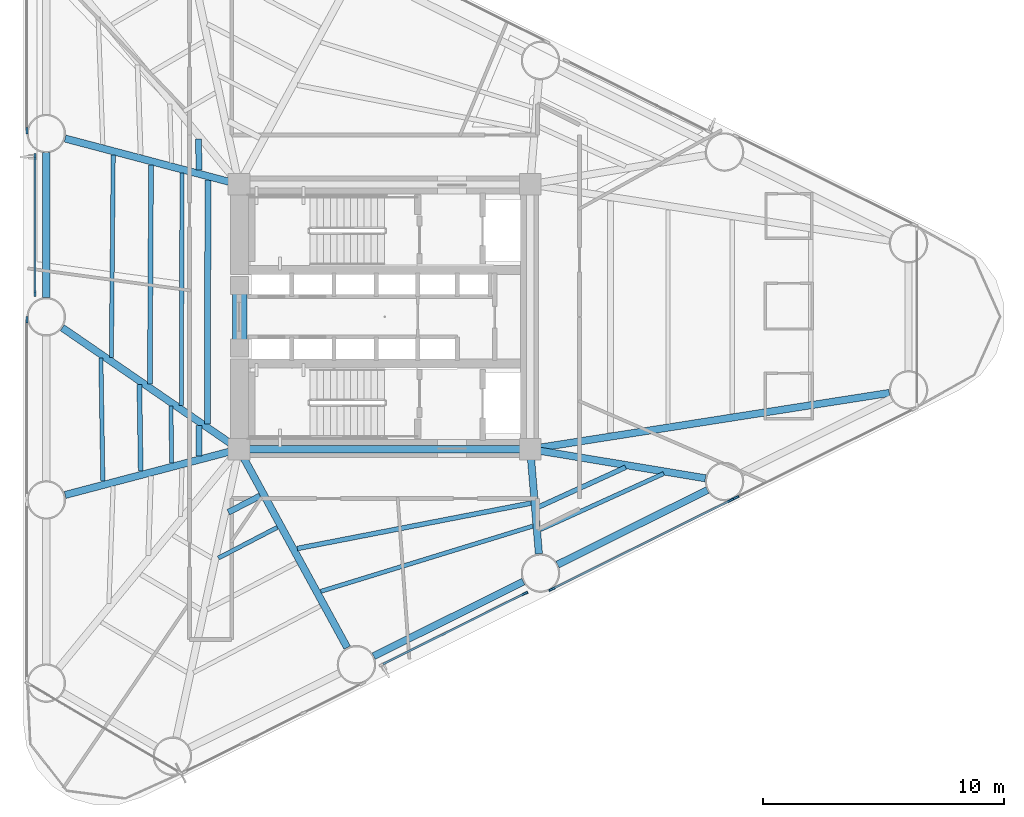
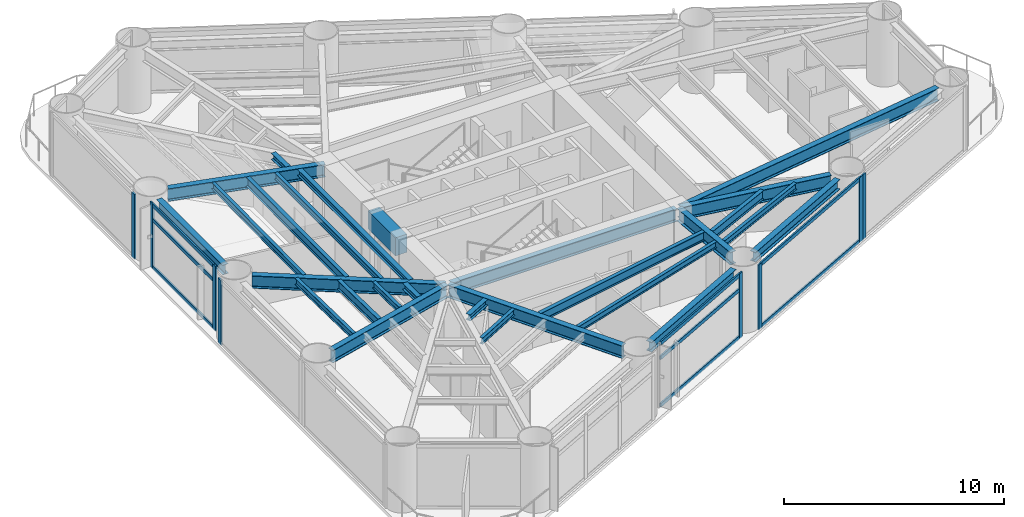
# One storey, part 2 of 10: 27 beams, 16 members, 6 elements without a shape of their own.
"""IFC4 building model written with IfcOpenShell, lengths in metres."""

from ifc_helpers import new_model, si_unit, direction, frame, origin, origin_2d, place, context, subcontext, project, spatial, rectangle, i_section, extrude, source, transform, mapped, material, layer, layer_set, material_profile, profile_set, type_object, element, aggregate, save


model = new_model("IFC4")

# Units and contexts
model_context = context("Model", 3, precision=1e-05, world=origin(), true_north=direction((0.0, 1.0)))
body_context = subcontext(model_context, "Body", "Model", "MODEL_VIEW")
ifc_project = project(units=[si_unit("LENGTHUNIT", "METRE"), si_unit("AREAUNIT", "SQUARE_METRE"), si_unit("VOLUMEUNIT", "CUBIC_METRE"), si_unit("PLANEANGLEUNIT", "RADIAN"), si_unit("MASSUNIT", "GRAM", prefix="KILO")], contexts=[model_context])

# Site, building, storey
site_placement = place(None, origin())
site = spatial("IfcSite", under=ifc_project, at=site_placement, CompositionType="ELEMENT")
building_placement = place(site_placement, origin())
building = spatial("IfcBuilding", under=site, at=building_placement, Name="Yunling Apex Tower", CompositionType="ELEMENT")
storey_placement = place(building_placement, frame((0.0, 0.0, 31.199951171875)))
storey = spatial("IfcBuildingStorey", under=building, at=storey_placement, Name="L09", CompositionType="ELEMENT", Elevation=31.199951171875)

# Beams
ifc_material_1 = material(Name="Concrete C60", Category="concrete")
ifc_material_profile_1 = material_profile(ifc_material_1, rectangle(XDim=0.60009765625, YDim=1.0, at=origin_2d()))
ifc_profile_set_1 = profile_set([ifc_material_profile_1], Name="Concrete C60")
beam_type_1 = type_object("IfcBeamType", Name="BC-CPL-1", PredefinedType="BEAM", material=ifc_profile_set_1)
shared_shape_1 = source(origin(), body_context, "Body", "SweptSolid", [
    extrude(rectangle(XDim=0.60009765625, YDim=1.0, at=origin_2d()), origin(), (0.0, 0.0, 1.0), 2.5),
])
beam_1_placement = place(storey_placement, frame((-6.02490234375, -1.25, 3.01513671875), z_axis=(0.0, 1.0, 0.0), x_axis=(-1.0, 0.0, 0.0)))
element("IfcBeam", 1, at=beam_1_placement, inside=storey, type_object=beam_type_1, Name="L09 Core West Portal Coupling Beam", PredefinedType="BEAM", context=body_context, shape_type="MappedRepresentation", body=[
    mapped(shared_shape_1, transform((0.0, 0.0, 0.0), scale=1.0)),
])
ifc_material_2 = material(Name="Steel Q355B", Category="steel")
ifc_material_profile_2 = material_profile(ifc_material_2, i_section(OverallWidth=0.300048828125, OverallDepth=0.699951171875, WebThickness=0.012939453125, FlangeThickness=0.02392578125, FilletRadius=0.02587890625, at=origin_2d()))
ifc_profile_set_2 = profile_set([ifc_material_profile_2], Name="Steel Q355B")
beam_type_2 = type_object("IfcBeamType", Name="BG-PRI-3", PredefinedType="USERDEFINED", material=ifc_profile_set_2)
shared_shape_2 = source(origin(), body_context, "Body", "SweptSolid", [
    extrude(i_section(OverallWidth=0.300048828125, OverallDepth=0.699951171875, WebThickness=0.012939453125, FlangeThickness=0.02392578125, FilletRadius=0.02587890625, at=origin_2d()), origin(), (0.0, 0.0, 1.0), 11.7998046875),
])
beam_2_placement = place(storey_placement, frame((-5.89990234375, -5.5, 3.1650390625), z_axis=(1.0, 0.0, 0.0), x_axis=(0.0, 1.0, 0.0)))
element("IfcBeam", 2, at=beam_2_placement, inside=storey, type_object=beam_type_2, Name="L09 Core Ring Tie Beam 1", ObjectType="GIRDER", PredefinedType="USERDEFINED", context=body_context, shape_type="MappedRepresentation", body=[
    mapped(shared_shape_2, transform((0.0, 0.0, 0.0), scale=1.0)),
])
ifc_material_profile_3 = material_profile(ifc_material_2, i_section(OverallWidth=0.300048828125, OverallDepth=0.5400390625, WebThickness=0.011962890625, FlangeThickness=0.02001953125, FilletRadius=0.02392578125, at=origin_2d()))
ifc_profile_set_3 = profile_set([ifc_material_profile_3], Name="Steel Q355B")
beam_type_3 = type_object("IfcBeamType", Name="BP-SPN-1", PredefinedType="SPANDREL", material=ifc_profile_set_3)
shared_shape_3 = source(origin(), body_context, "Body", "SweptSolid", [
    extrude(i_section(OverallWidth=0.300048828125, OverallDepth=0.5400390625, WebThickness=0.011962890625, FlangeThickness=0.02001953125, FilletRadius=0.02392578125, at=origin_2d()), origin(), (0.0, 0.0, 1.0), 6.950927734375),
])
beam_3_placement = place(storey_placement, frame((-0.456298828125, -14.099365234375, 3.2451171875), z_axis=(0.895247556401, 0.445569088646, 0.0), x_axis=(-0.445569088646, 0.895247556401, 0.0)))
element("IfcBeam", 3, at=beam_3_placement, inside=storey, type_object=beam_type_3, Name="L09 Perimeter Spandrel Beam 2", PredefinedType="SPANDREL", context=body_context, shape_type="MappedRepresentation", body=[
    mapped(shared_shape_3, transform((0.0, 0.0, 0.0), scale=1.0)),
])
shared_shape_4 = source(origin(), body_context, "Body", "SweptSolid", [
    extrude(i_section(OverallWidth=0.300048828125, OverallDepth=0.5400390625, WebThickness=0.011962890625, FlangeThickness=0.02001953125, FilletRadius=0.02392578125, at=origin_2d()), origin(), (0.0, 0.0, 1.0), 6.95068359375),
])
beam_4_placement = place(storey_placement, frame((7.188232421875, -10.29443359375, 3.2451171875), z_axis=(0.895254593944, 0.445554948375, 0.0), x_axis=(-0.445554948375, 0.895254593944, 0.0)))
element("IfcBeam", 4, at=beam_4_placement, inside=storey, type_object=beam_type_3, Name="L09 Perimeter Spandrel Beam 3", PredefinedType="SPANDREL", context=body_context, shape_type="MappedRepresentation", body=[
    mapped(shared_shape_4, transform((0.0, 0.0, 0.0), scale=1.0)),
])
shared_shape_5 = source(origin(), body_context, "Body", "SweptSolid", [
    extrude(i_section(OverallWidth=0.300048828125, OverallDepth=0.5400390625, WebThickness=0.011962890625, FlangeThickness=0.02001953125, FilletRadius=0.02392578125, at=origin_2d()), origin(), (0.0, 0.0, 1.0), 6.021484375),
])
beam_5_placement = place(storey_placement, frame((-14.052001953125, 6.8154296875, 3.2451171875), z_axis=(0.0, -1.0, 0.0), x_axis=(1.0, 0.0, 0.0)))
element("IfcBeam", 5, at=beam_5_placement, inside=storey, type_object=beam_type_3, Name="L09 Perimeter Spandrel Beam 12", PredefinedType="SPANDREL", context=body_context, shape_type="MappedRepresentation", body=[
    mapped(shared_shape_5, transform((0.0, 0.0, 0.0), scale=1.0)),
])
shared_shape_6 = source(origin(), body_context, "Body", "SweptSolid", [
    extrude(i_section(OverallWidth=0.300048828125, OverallDepth=0.699951171875, WebThickness=0.012939453125, FlangeThickness=0.02392578125, FilletRadius=0.02587890625, at=origin_2d()), origin(), (0.0, 0.0, 1.0), 9.31005859375),
])
beam_6_placement = place(storey_placement, frame((-1.553955078125, -13.74365234375, 3.1650390625), z_axis=(-0.478817221141, 0.877914613581, 0.0), x_axis=(-0.877914613581, -0.478817221141, 0.0)))
element("IfcBeam", 6, at=beam_6_placement, inside=storey, type_object=beam_type_2, Name="L09 Radial Primary Girder R02", ObjectType="GIRDER", PredefinedType="USERDEFINED", context=body_context, shape_type="MappedRepresentation", body=[
    mapped(shared_shape_6, transform((0.0, 0.0, 0.0), scale=1.0)),
])
shared_shape_7 = source(origin(), body_context, "Body", "SweptSolid", [
    extrude(i_section(OverallWidth=0.300048828125, OverallDepth=0.699951171875, WebThickness=0.012939453125, FlangeThickness=0.02392578125, FilletRadius=0.02587890625, at=origin_2d()), origin(), (0.0, 0.0, 1.0), 4.278076171875),
])
beam_7_placement = place(storey_placement, frame((6.41064453125, -9.843017578125, 3.1650390625), z_axis=(-0.082747937789, 0.996570508691, 0.0), x_axis=(-0.996570508691, -0.082747937789, 0.0)))
element("IfcBeam", 7, at=beam_7_placement, inside=storey, type_object=beam_type_2, Name="L09 Radial Primary Girder R03", ObjectType="GIRDER", PredefinedType="USERDEFINED", context=body_context, shape_type="MappedRepresentation", body=[
    mapped(shared_shape_7, transform((0.0, 0.0, 0.0), scale=1.0)),
])
shared_shape_8 = source(origin(), body_context, "Body", "SweptSolid", [
    extrude(i_section(OverallWidth=0.300048828125, OverallDepth=0.699951171875, WebThickness=0.012939453125, FlangeThickness=0.02392578125, FilletRadius=0.02587890625, at=origin_2d()), origin(), (0.0, 0.0, 1.0), 7.294921875),
])
beam_8_placement = place(storey_placement, frame((13.32470703125, -6.7109375, 3.1650390625), z_axis=(-0.98642827455, 0.164192750049, 0.0), x_axis=(-0.164192750049, -0.98642827455, 0.0)))
element("IfcBeam", 8, at=beam_8_placement, inside=storey, type_object=beam_type_2, Name="L09 Radial Primary Girder R04", ObjectType="GIRDER", PredefinedType="USERDEFINED", context=body_context, shape_type="MappedRepresentation", body=[
    mapped(shared_shape_8, transform((0.0, 0.0, 0.0), scale=1.0)),
])
shared_shape_9 = source(origin(), body_context, "Body", "SweptSolid", [
    extrude(i_section(OverallWidth=0.300048828125, OverallDepth=0.699951171875, WebThickness=0.012939453125, FlangeThickness=0.02392578125, FilletRadius=0.02587890625, at=origin_2d()), origin(), (0.0, 0.0, 1.0), 15.02001953125),
])
beam_9_placement = place(storey_placement, frame((20.968017578125, -3.163818359375, 3.1650390625), z_axis=(-0.987959991473, -0.154709583568, 0.0), x_axis=(0.154709583568, -0.987959991473, 0.0)))
element("IfcBeam", 9, at=beam_9_placement, inside=storey, type_object=beam_type_2, Name="L09 Radial Primary Girder R05", ObjectType="GIRDER", PredefinedType="USERDEFINED", context=body_context, shape_type="MappedRepresentation", body=[
    mapped(shared_shape_9, transform((0.0, 0.0, 0.0), scale=1.0)),
])
shared_shape_10 = source(origin(), body_context, "Body", "SweptSolid", [
    extrude(i_section(OverallWidth=0.300048828125, OverallDepth=0.699951171875, WebThickness=0.012939453125, FlangeThickness=0.02392578125, FilletRadius=0.02587890625, at=origin_2d()), origin(), (0.0, 0.0, 1.0), 7.387451171875),
])
for number, where, z_axis, x_axis, name in (
    (10, (-13.270751953125, 7.403564453125, 3.1650390625), (0.966966571797, -0.25490321502, 0.0), (0.25490321502, 0.966966571797, 0.0), "L09 Radial Primary Girder R12"),
    (11, (-13.270751953125, -7.403564453125, 3.1650390625), (0.966966571797, 0.25490321502, 0.0), (-0.25490321502, 0.966966571797, 0.0), "L09 Radial Primary Girder R14"),
):
    element("IfcBeam", number, at=place(storey_placement, frame(where, z_axis=z_axis, x_axis=x_axis)), inside=storey, type_object=beam_type_2, Name=name, ObjectType="GIRDER", PredefinedType="USERDEFINED", context=body_context, shape_type="MappedRepresentation", body=[
        mapped(shared_shape_10, transform((0.0, 0.0, 0.0), scale=1.0)),
    ])
shared_shape_11 = source(origin(), body_context, "Body", "SweptSolid", [
    extrude(i_section(OverallWidth=0.300048828125, OverallDepth=0.699951171875, WebThickness=0.012939453125, FlangeThickness=0.02392578125, FilletRadius=0.02587890625, at=origin_2d()), origin(), (0.0, 0.0, 1.0), 8.821533203125),
])
beam_10_placement = place(storey_placement, frame((-13.385986328125, -0.457763671875, 3.1650390625), z_axis=(0.824111362877, -0.566427807912, 0.0), x_axis=(0.566427807912, 0.824111362877, 0.0)))
element("IfcBeam", 12, at=beam_10_placement, inside=storey, type_object=beam_type_2, Name="L09 Radial Primary Girder R13", ObjectType="GIRDER", PredefinedType="USERDEFINED", context=body_context, shape_type="MappedRepresentation", body=[
    mapped(shared_shape_11, transform((0.0, 0.0, 0.0), scale=1.0)),
])
ifc_material_profile_4 = material_profile(ifc_material_2, i_section(OverallWidth=0.175048828125, OverallDepth=0.35009765625, WebThickness=0.007080078125, FlangeThickness=0.010986328125, FilletRadius=0.013916015625, at=origin_2d()))
ifc_profile_set_4 = profile_set([ifc_material_profile_4], Name="Steel Q355B")
beam_type_4 = type_object("IfcBeamType", Name="BJ-JST-1", PredefinedType="JOIST", material=ifc_profile_set_4)
shared_shape_12 = source(origin(), body_context, "Body", "SweptSolid", [
    extrude(i_section(OverallWidth=0.175048828125, OverallDepth=0.35009765625, WebThickness=0.007080078125, FlangeThickness=0.010986328125, FilletRadius=0.013916015625, at=origin_2d()), origin(), (0.0, 0.0, 1.0), 2.7548828125),
])
beam_11_placement = place(storey_placement, frame((-6.903076171875, -10.0224609375, 3.340087890625), z_axis=(0.886932237595, 0.461899562584, 0.0), x_axis=(-0.461899562584, 0.886932237595, 0.0)))
element("IfcBeam", 13, at=beam_11_placement, inside=storey, type_object=beam_type_4, Name="L09 Composite Floor Joist BJ3-1", PredefinedType="JOIST", context=body_context, shape_type="MappedRepresentation", body=[
    mapped(shared_shape_12, transform((0.0, 0.0, 0.0), scale=1.0)),
])
ifc_material_profile_5 = material_profile(ifc_material_2, i_section(OverallWidth=0.25, OverallDepth=0.340087890625, WebThickness=0.009033203125, FlangeThickness=0.013916015625, FilletRadius=0.01806640625, at=origin_2d()))
ifc_profile_set_5 = profile_set([ifc_material_profile_5], Name="Steel Q355B")
beam_type_5 = type_object("IfcBeamType", Name="BJ-JST-2", PredefinedType="JOIST", material=ifc_profile_set_5)
shared_shape_13 = source(origin(), body_context, "Body", "SweptSolid", [
    extrude(i_section(OverallWidth=0.25, OverallDepth=0.340087890625, WebThickness=0.009033203125, FlangeThickness=0.013916015625, FilletRadius=0.01806640625, at=origin_2d()), origin(), (0.0, 0.0, 1.0), 1.482421875),
])
beam_12_placement = place(storey_placement, frame((-6.490966796875, -8.12060546875, 3.344970703125), z_axis=(0.888960334438, 0.457984196012, 0.0), x_axis=(-0.457984196012, 0.888960334438, 0.0)))
element("IfcBeam", 14, at=beam_12_placement, inside=storey, type_object=beam_type_5, Name="L09 Composite Floor Joist BJ2-1", PredefinedType="JOIST", context=body_context, shape_type="MappedRepresentation", body=[
    mapped(shared_shape_13, transform((0.0, 0.0, 0.0), scale=1.0)),
])
ifc_material_profile_6 = material_profile(ifc_material_2, i_section(OverallWidth=0.199951171875, OverallDepth=0.5, WebThickness=0.010009765625, FlangeThickness=0.01611328125, FilletRadius=0.02001953125, at=origin_2d()))
ifc_profile_set_6 = profile_set([ifc_material_profile_6], Name="Steel Q355B")
beam_type_6 = type_object("IfcBeamType", Name="BS-SEC-2", PredefinedType="BEAM", material=ifc_profile_set_6)
shared_shape_14 = source(origin(), body_context, "Body", "SweptSolid", [
    extrude(i_section(OverallWidth=0.199951171875, OverallDepth=0.5, WebThickness=0.010009765625, FlangeThickness=0.01611328125, FilletRadius=0.02001953125, at=origin_2d()), origin(), (0.0, 0.0, 1.0), 9.883544921875),
])
beam_13_placement = place(storey_placement, frame((-3.625732421875, -9.62646484375, 3.26513671875), z_axis=(0.981653423938, 0.190673950161, 0.0), x_axis=(-0.190673950161, 0.981653423938, 0.0)))
element("IfcBeam", 15, at=beam_13_placement, inside=storey, type_object=beam_type_6, Name="L09 Composite Floor Beam BS-2", PredefinedType="BEAM", context=body_context, shape_type="MappedRepresentation", body=[
    mapped(shared_shape_14, transform((0.0, 0.0, 0.0), scale=1.0)),
])
shared_shape_15 = source(origin(), body_context, "Body", "SweptSolid", [
    extrude(i_section(OverallWidth=0.175048828125, OverallDepth=0.35009765625, WebThickness=0.007080078125, FlangeThickness=0.010986328125, FilletRadius=0.013916015625, at=origin_2d()), origin(), (0.0, 0.0, 1.0), 9.2158203125),
])
beam_14_placement = place(storey_placement, frame((-2.649169921875, -11.407958984375, 3.340087890625), z_axis=(0.955731454849, 0.294240354492, 0.0), x_axis=(-0.294240354492, 0.955731454849, 0.0)))
element("IfcBeam", 16, at=beam_14_placement, inside=storey, type_object=beam_type_4, Name="L09 Composite Floor Joist BJ1-2", PredefinedType="JOIST", context=body_context, shape_type="MappedRepresentation", body=[
    mapped(shared_shape_15, transform((0.0, 0.0, 0.0), scale=1.0)),
])
shared_shape_16 = source(origin(), body_context, "Body", "SweptSolid", [
    extrude(i_section(OverallWidth=0.199951171875, OverallDepth=0.5, WebThickness=0.010009765625, FlangeThickness=0.01611328125, FilletRadius=0.02001953125, at=origin_2d()), origin(), (0.0, 0.0, 1.0), 3.971923828125),
])
beam_15_placement = place(storey_placement, frame((6.400390625, -7.900634765625, 3.26513671875), z_axis=(0.909609234888, 0.415464847858, 0.0), x_axis=(-0.415464847858, 0.909609234888, 0.0)))
element("IfcBeam", 17, at=beam_15_placement, inside=storey, type_object=beam_type_6, Name="L09 Composite Floor Beam BS-3", PredefinedType="BEAM", context=body_context, shape_type="MappedRepresentation", body=[
    mapped(shared_shape_16, transform((0.0, 0.0, 0.0), scale=1.0)),
])
shared_shape_17 = source(origin(), body_context, "Body", "SweptSolid", [
    extrude(i_section(OverallWidth=0.175048828125, OverallDepth=0.35009765625, WebThickness=0.007080078125, FlangeThickness=0.010986328125, FilletRadius=0.013916015625, at=origin_2d()), origin(), (0.0, 0.0, 1.0), 5.62109375),
])
beam_16_placement = place(storey_placement, frame((6.478515625, -8.839111328125, 3.340087890625), z_axis=(0.910411095702, 0.413704770124, 0.0), x_axis=(-0.413704770124, 0.910411095702, 0.0)))
element("IfcBeam", 18, at=beam_16_placement, inside=storey, type_object=beam_type_4, Name="L09 Composite Floor Joist BJ1-3", PredefinedType="JOIST", context=body_context, shape_type="MappedRepresentation", body=[
    mapped(shared_shape_17, transform((0.0, 0.0, 0.0), scale=1.0)),
])
shared_shape_18 = source(origin(), body_context, "Body", "SweptSolid", [
    extrude(i_section(OverallWidth=0.25, OverallDepth=0.340087890625, WebThickness=0.009033203125, FlangeThickness=0.013916015625, FilletRadius=0.01806640625, at=origin_2d()), origin(), (0.0, 0.0, 1.0), 1.294921875),
])
beam_17_placement = place(storey_placement, frame((-7.7333984375, 7.38916015625, 3.344970703125), z_axis=(0.023753431789, -0.999717847434, 0.0), x_axis=(0.999717847434, 0.023753431789, 0.0)))
element("IfcBeam", 19, at=beam_17_placement, inside=storey, type_object=beam_type_5, Name="L09 Composite Floor Joist BJ2-11", PredefinedType="JOIST", context=body_context, shape_type="MappedRepresentation", body=[
    mapped(shared_shape_18, transform((0.0, 0.0, 0.0), scale=1.0)),
])
shared_shape_19 = source(origin(), body_context, "Body", "SweptSolid", [
    extrude(i_section(OverallWidth=0.199951171875, OverallDepth=0.5, WebThickness=0.010009765625, FlangeThickness=0.01611328125, FilletRadius=0.02001953125, at=origin_2d()), origin(), (0.0, 0.0, 1.0), 9.098388671875),
])
beam_18_placement = place(storey_placement, frame((-9.699951171875, 6.302001953125, 3.26513671875), z_axis=(-0.005500909631, -0.999984869882, 0.0), x_axis=(0.999984869882, -0.005500909631, 0.0)))
element("IfcBeam", 20, at=beam_18_placement, inside=storey, type_object=beam_type_6, Name="L09 Composite Floor Beam BS-12", PredefinedType="BEAM", context=body_context, shape_type="MappedRepresentation", body=[
    mapped(shared_shape_19, transform((0.0, 0.0, 0.0), scale=1.0)),
])
shared_shape_20 = source(origin(), body_context, "Body", "SweptSolid", [
    extrude(i_section(OverallWidth=0.175048828125, OverallDepth=0.35009765625, WebThickness=0.007080078125, FlangeThickness=0.010986328125, FilletRadius=0.013916015625, at=origin_2d()), origin(), (0.0, 0.0, 1.0), 8.41357421875),
])
beam_19_placement = place(storey_placement, frame((-11.27197265625, 6.71630859375, 3.340087890625), z_axis=(-0.009169400639, -0.999957960162, 0.0), x_axis=(0.999957960162, -0.009169400639, 0.0)))
element("IfcBeam", 21, at=beam_19_placement, inside=storey, type_object=beam_type_4, Name="L09 Composite Floor Joist BJ1-12", PredefinedType="JOIST", context=body_context, shape_type="MappedRepresentation", body=[
    mapped(shared_shape_20, transform((0.0, 0.0, 0.0), scale=1.0)),
])
shared_shape_21 = source(origin(), body_context, "Body", "SweptSolid", [
    extrude(i_section(OverallWidth=0.175048828125, OverallDepth=0.35009765625, WebThickness=0.007080078125, FlangeThickness=0.010986328125, FilletRadius=0.013916015625, at=origin_2d()), origin(), (0.0, 0.0, 1.0), 9.65869140625),
])
beam_20_placement = place(storey_placement, frame((-8.413818359375, 5.962890625, 3.340087890625), z_axis=(-0.002906817505, -0.999995775197, 0.0), x_axis=(0.999995775197, -0.002906817505, 0.0)))
element("IfcBeam", 22, at=beam_20_placement, inside=storey, type_object=beam_type_4, Name="L09 Composite Floor Joist BJ3-12", PredefinedType="JOIST", context=body_context, shape_type="MappedRepresentation", body=[
    mapped(shared_shape_21, transform((0.0, 0.0, 0.0), scale=1.0)),
])
shared_shape_22 = source(origin(), body_context, "Body", "SweptSolid", [
    extrude(i_section(OverallWidth=0.25, OverallDepth=0.340087890625, WebThickness=0.009033203125, FlangeThickness=0.013916015625, FilletRadius=0.01806640625, at=origin_2d()), origin(), (0.0, 0.0, 1.0), 10.125732421875),
])
beam_21_placement = place(storey_placement, frame((-7.341796875, 5.680419921875, 3.344970703125), z_axis=(-0.000988546835, -0.999999511387, 0.0), x_axis=(0.999999511387, -0.000988546835, 0.0)))
element("IfcBeam", 23, at=beam_21_placement, inside=storey, type_object=beam_type_5, Name="L09 Composite Floor Joist BJ2-12", PredefinedType="JOIST", context=body_context, shape_type="MappedRepresentation", body=[
    mapped(shared_shape_22, transform((0.0, 0.0, 0.0), scale=1.0)),
])
shared_shape_23 = source(origin(), body_context, "Body", "SweptSolid", [
    extrude(i_section(OverallWidth=0.199951171875, OverallDepth=0.5, WebThickness=0.010009765625, FlangeThickness=0.01611328125, FilletRadius=0.02001953125, at=origin_2d()), origin(), (0.0, 0.0, 1.0), 3.59912109375),
])
beam_22_placement = place(storey_placement, frame((-10.184814453125, -2.81640625, 3.26513671875), z_axis=(0.015194989083, -0.999884549489, 0.0), x_axis=(0.999884549489, 0.015194989083, 0.0)))
element("IfcBeam", 24, at=beam_22_placement, inside=storey, type_object=beam_type_6, Name="L09 Composite Floor Beam BS-13", PredefinedType="BEAM", context=body_context, shape_type="MappedRepresentation", body=[
    mapped(shared_shape_23, transform((0.0, 0.0, 0.0), scale=1.0)),
])
shared_shape_24 = source(origin(), body_context, "Body", "SweptSolid", [
    extrude(i_section(OverallWidth=0.175048828125, OverallDepth=0.35009765625, WebThickness=0.007080078125, FlangeThickness=0.010986328125, FilletRadius=0.013916015625, at=origin_2d()), origin(), (0.0, 0.0, 1.0), 5.11279296875),
])
beam_23_placement = place(storey_placement, frame((-11.7841796875, -1.717041015625, 3.340087890625), z_axis=(0.016092285311, -0.999870510793, 0.0), x_axis=(0.999870510793, 0.016092285311, 0.0)))
element("IfcBeam", 25, at=beam_23_placement, inside=storey, type_object=beam_type_4, Name="L09 Composite Floor Joist BJ1-13", PredefinedType="JOIST", context=body_context, shape_type="MappedRepresentation", body=[
    mapped(shared_shape_24, transform((0.0, 0.0, 0.0), scale=1.0)),
])
shared_shape_25 = source(origin(), body_context, "Body", "SweptSolid", [
    extrude(i_section(OverallWidth=0.175048828125, OverallDepth=0.35009765625, WebThickness=0.007080078125, FlangeThickness=0.010986328125, FilletRadius=0.013916015625, at=origin_2d()), origin(), (0.0, 0.0, 1.0), 2.3603515625),
])
beam_24_placement = place(storey_placement, frame((-8.87646484375, -3.7158203125, 3.340087890625), z_axis=(0.013756844339, -0.99990537014, 0.0), x_axis=(0.99990537014, 0.013756844339, 0.0)))
element("IfcBeam", 26, at=beam_24_placement, inside=storey, type_object=beam_type_4, Name="L09 Composite Floor Joist BJ3-13", PredefinedType="JOIST", context=body_context, shape_type="MappedRepresentation", body=[
    mapped(shared_shape_25, transform((0.0, 0.0, 0.0), scale=1.0)),
])
shared_shape_26 = source(origin(), body_context, "Body", "SweptSolid", [
    extrude(i_section(OverallWidth=0.25, OverallDepth=0.340087890625, WebThickness=0.009033203125, FlangeThickness=0.013916015625, FilletRadius=0.01806640625, at=origin_2d()), origin(), (0.0, 0.0, 1.0), 1.25927734375),
])
beam_25_placement = place(storey_placement, frame((-7.713623046875, -4.515380859375, 3.344970703125), z_axis=(0.010274758105, -0.99994721328, 0.0), x_axis=(0.99994721328, 0.010274758105, 0.0)))
element("IfcBeam", 27, at=beam_25_placement, inside=storey, type_object=beam_type_5, Name="L09 Composite Floor Joist BJ2-13", PredefinedType="JOIST", context=body_context, shape_type="MappedRepresentation", body=[
    mapped(shared_shape_26, transform((0.0, 0.0, 0.0), scale=1.0)),
])

# Curtain wall, member
ifc_material_3 = material(Name="Bronze anodised aluminium", Category="aluminium")
ifc_layer = layer(ifc_material_3, 0.260009765625)
ifc_layer_set = layer_set([ifc_layer], Name="Bronze anodised aluminium")
curtain_wall_type = type_object("IfcCurtainWallType", Name="CW-SYS-2", PredefinedType="NOTDEFINED", material=ifc_layer_set)
curtain_wall_1_placement = place(storey_placement, origin())
curtain_wall_1 = element("IfcCurtainWall", 28, at=curtain_wall_1_placement, inside=storey, type_object=curtain_wall_type, Name="CW-L09-F1-B2", PredefinedType="NOTDEFINED")
ifc_material_profile_7 = material_profile(ifc_material_3, rectangle(XDim=0.0849609375, YDim=0.260009765625, at=origin_2d()))
ifc_profile_set_7 = profile_set([ifc_material_profile_7], Name="Bronze anodised aluminium")
member_type_1 = type_object("IfcMemberType", Name="CW-MUL-2", PredefinedType="MULLION", material=ifc_profile_set_7)
shared_shape_27 = source(origin(), body_context, "Body", "SweptSolid", [
    extrude(rectangle(XDim=0.0849609375, YDim=0.260009765625, at=origin_2d()), origin(), (0.0, 0.0, 1.0), 3.614990234375),
])
member_1_placement = place(storey_placement, frame((5.8251953125, -11.498046875, -0.050048828125), z_axis=(0.0, 0.0, 1.0), x_axis=(-0.445582781121, 0.895240741459, 0.0)))
member_1 = element("IfcMember", 29, at=member_1_placement, type_object=member_type_1, Name="CW-SYS-2 mullion 2", PredefinedType="MULLION", context=body_context, shape_type="MappedRepresentation", body=[
    mapped(shared_shape_27, transform((0.0, 0.0, 0.0), scale=1.0)),
])

# Curtain wall, members
curtain_wall_2_placement = place(storey_placement, origin())
curtain_wall_2 = element("IfcCurtainWall", 30, at=curtain_wall_2_placement, inside=storey, type_object=curtain_wall_type, Name="CW-L09-F1-B3", PredefinedType="NOTDEFINED")
member_2_placement = place(storey_placement, frame((6.947998046875, -11.31884765625, -0.050048828125), z_axis=(0.0, 0.0, 1.0), x_axis=(-0.445570625003, 0.895246791748, 0.0)))
member_2 = element("IfcMember", 31, at=member_2_placement, type_object=member_type_1, Name="CW-SYS-2 mullion 1", PredefinedType="MULLION", context=body_context, shape_type="MappedRepresentation", body=[
    mapped(shared_shape_27, transform((0.0, 0.0, 0.0), scale=1.0)),
])
member_3_placement = place(storey_placement, frame((14.373046875, -7.623291015625, -0.050048828125), z_axis=(0.0, 0.0, 1.0), x_axis=(-0.445570625003, 0.895246791748, 0.0)))
member_3 = element("IfcMember", 32, at=member_3_placement, type_object=member_type_1, Name="CW-SYS-2 mullion 2", PredefinedType="MULLION", context=body_context, shape_type="MappedRepresentation", body=[
    mapped(shared_shape_27, transform((0.0, 0.0, 0.0), scale=1.0)),
])

# Curtain wall, member
curtain_wall_3_placement = place(storey_placement, origin())
curtain_wall_3 = element("IfcCurtainWall", 33, at=curtain_wall_3_placement, inside=storey, type_object=curtain_wall_type, Name="CW-L09-F1-B4", PredefinedType="NOTDEFINED")
member_4_placement = place(storey_placement, frame((14.59228515625, -7.51416015625, -0.050048828125), z_axis=(0.0, 0.0, 1.0), x_axis=(-0.445580190214, 0.895242031011, 0.0)))
member_4 = element("IfcMember", 34, at=member_4_placement, type_object=member_type_1, Name="CW-SYS-2 mullion 1", PredefinedType="MULLION", context=body_context, shape_type="MappedRepresentation", body=[
    mapped(shared_shape_27, transform((0.0, 0.0, 0.0), scale=1.0)),
])
aggregate(curtain_wall_3, [member_4])

curtain_wall_4_placement = place(storey_placement, origin())
curtain_wall_4 = element("IfcCurtainWall", 35, at=curtain_wall_4_placement, inside=storey, type_object=curtain_wall_type, Name="CW-L09-F3-B1", PredefinedType="NOTDEFINED")
member_5_placement = place(storey_placement, frame((-14.862060546875, 7.73193359375, -0.050048828125), z_axis=(0.0, 0.0, 1.0), x_axis=(1.0, 0.0, 0.0)))
member_5 = element("IfcMember", 36, at=member_5_placement, type_object=member_type_1, Name="CW-SYS-2 mullion 2", PredefinedType="MULLION", context=body_context, shape_type="MappedRepresentation", body=[
    mapped(shared_shape_27, transform((0.0, 0.0, 0.0), scale=1.0)),
])
aggregate(curtain_wall_4, [member_5])

# Curtain wall, members
curtain_wall_5_placement = place(storey_placement, origin())
curtain_wall_5 = element("IfcCurtainWall", 37, at=curtain_wall_5_placement, inside=storey, type_object=curtain_wall_type, Name="CW-L09-F3-B2", PredefinedType="NOTDEFINED")
member_6_placement = place(storey_placement, frame((-14.52197265625, 6.64697265625, -0.050048828125), z_axis=(0.0, 0.0, 1.0), x_axis=(1.0, 0.0, 0.0)))
member_6 = element("IfcMember", 38, at=member_6_placement, type_object=member_type_1, Name="CW-SYS-2 mullion 1", PredefinedType="MULLION", context=body_context, shape_type="MappedRepresentation", body=[
    mapped(shared_shape_27, transform((0.0, 0.0, 0.0), scale=1.0)),
])
member_7_placement = place(storey_placement, frame((-14.52197265625, 0.96240234375, -0.050048828125), z_axis=(0.0, 0.0, 1.0), x_axis=(1.0, 0.0, 0.0)))
member_7 = element("IfcMember", 39, at=member_7_placement, type_object=member_type_1, Name="CW-SYS-2 mullion 2", PredefinedType="MULLION", context=body_context, shape_type="MappedRepresentation", body=[
    mapped(shared_shape_27, transform((0.0, 0.0, 0.0), scale=1.0)),
])

# Curtain wall, member
curtain_wall_6_placement = place(storey_placement, origin())
curtain_wall_6 = element("IfcCurtainWall", 40, at=curtain_wall_6_placement, inside=storey, type_object=curtain_wall_type, Name="CW-L09-F3-B3", PredefinedType="NOTDEFINED")
member_8_placement = place(storey_placement, frame((-14.862060546875, -0.12255859375, -0.050048828125), z_axis=(0.0, 0.0, 1.0), x_axis=(1.0, 0.0, 0.0)))
member_8 = element("IfcMember", 41, at=member_8_placement, type_object=member_type_1, Name="CW-SYS-2 mullion 1", PredefinedType="MULLION", context=body_context, shape_type="MappedRepresentation", body=[
    mapped(shared_shape_27, transform((0.0, 0.0, 0.0), scale=1.0)),
])
aggregate(curtain_wall_6, [member_8])

# Member
ifc_material_profile_8 = material_profile(ifc_material_3, rectangle(XDim=0.0849609375, YDim=0.199951171875, at=origin_2d()))
ifc_profile_set_8 = profile_set([ifc_material_profile_8], Name="Bronze anodised aluminium")
member_type_2 = type_object("IfcMemberType", Name="CW-TRN-2", PredefinedType="USERDEFINED", material=ifc_profile_set_8)
shared_shape_28 = source(origin(), body_context, "Body", "SweptSolid", [
    extrude(rectangle(XDim=0.0849609375, YDim=0.199951171875, at=origin_2d()), origin(), (0.0, 0.0, 1.0), 8.217529296875),
])
member_9_placement = place(storey_placement, frame((6.982177734375, -11.3017578125, 0.04248046875), z_axis=(0.895251603772, 0.445560956485, 0.0), x_axis=(-0.445560956485, 0.895251603772, 0.0)))
member_9 = element("IfcMember", 42, at=member_9_placement, type_object=member_type_2, Name="CW-SYS-2 transom 1.1", ObjectType="TRANSOM", PredefinedType="USERDEFINED", context=body_context, shape_type="MappedRepresentation", body=[
    mapped(shared_shape_28, transform((0.0, 0.0, 0.0), scale=1.0)),
])

member_10_placement = place(storey_placement, frame((6.982177734375, -11.3017578125, 3.47265625), z_axis=(0.895251603772, 0.445560956485, 0.0), x_axis=(-0.445560956485, 0.895251603772, 0.0)))
member_10 = element("IfcMember", 43, at=member_10_placement, type_object=member_type_2, Name="CW-SYS-2 transom 1.2", ObjectType="TRANSOM", PredefinedType="USERDEFINED", context=body_context, shape_type="MappedRepresentation", body=[
    mapped(shared_shape_28, transform((0.0, 0.0, 0.0), scale=1.0)),
])

aggregate(curtain_wall_2, [member_2, member_3, member_9, member_10])

shared_shape_29 = source(origin(), body_context, "Body", "SweptSolid", [
    extrude(rectangle(XDim=0.0849609375, YDim=0.199951171875, at=origin_2d()), origin(), (0.0, 0.0, 1.0), 6.53759765625),
])
member_11_placement = place(storey_placement, frame((-0.061767578125, -14.427978515625, 0.04248046875), z_axis=(0.89523980106, 0.445584670515, 0.0), x_axis=(-0.445584670515, 0.89523980106, 0.0)))
member_11 = element("IfcMember", 44, at=member_11_placement, type_object=member_type_2, Name="CW-SYS-2 transom 1.1", ObjectType="TRANSOM", PredefinedType="USERDEFINED", context=body_context, shape_type="MappedRepresentation", body=[
    mapped(shared_shape_29, transform((0.0, 0.0, 0.0), scale=1.0)),
])

member_12_placement = place(storey_placement, frame((-0.061767578125, -14.427978515625, 2.67138671875), z_axis=(0.89523980106, 0.445584670515, 0.0), x_axis=(-0.445584670515, 0.89523980106, 0.0)))
member_12 = element("IfcMember", 45, at=member_12_placement, type_object=member_type_2, Name="CW-SYS-2 transom 1.2", ObjectType="TRANSOM", PredefinedType="USERDEFINED", context=body_context, shape_type="MappedRepresentation", body=[
    mapped(shared_shape_29, transform((0.0, 0.0, 0.0), scale=1.0)),
])

member_13_placement = place(storey_placement, frame((-0.061767578125, -14.427978515625, 3.47265625), z_axis=(0.89523980106, 0.445584670515, 0.0), x_axis=(-0.445584670515, 0.89523980106, 0.0)))
member_13 = element("IfcMember", 46, at=member_13_placement, type_object=member_type_2, Name="CW-SYS-2 transom 1.3", ObjectType="TRANSOM", PredefinedType="USERDEFINED", context=body_context, shape_type="MappedRepresentation", body=[
    mapped(shared_shape_29, transform((0.0, 0.0, 0.0), scale=1.0)),
])

aggregate(curtain_wall_1, [member_1, member_11, member_12, member_13])

shared_shape_30 = source(origin(), body_context, "Body", "SweptSolid", [
    extrude(rectangle(XDim=0.0849609375, YDim=0.199951171875, at=origin_2d()), origin(), (0.0, 0.0, 1.0), 5.60791015625),
])
member_14_placement = place(storey_placement, frame((-14.52197265625, 6.608642578125, 0.04248046875), z_axis=(0.0, -1.0, 0.0), x_axis=(1.0, 0.0, 0.0)))
member_14 = element("IfcMember", 47, at=member_14_placement, type_object=member_type_2, Name="CW-SYS-2 transom 1.1", ObjectType="TRANSOM", PredefinedType="USERDEFINED", context=body_context, shape_type="MappedRepresentation", body=[
    mapped(shared_shape_30, transform((0.0, 0.0, 0.0), scale=1.0)),
])

member_15_placement = place(storey_placement, frame((-14.52197265625, 6.608642578125, 2.67138671875), z_axis=(0.0, -1.0, 0.0), x_axis=(1.0, 0.0, 0.0)))
member_15 = element("IfcMember", 48, at=member_15_placement, type_object=member_type_2, Name="CW-SYS-2 transom 1.2", ObjectType="TRANSOM", PredefinedType="USERDEFINED", context=body_context, shape_type="MappedRepresentation", body=[
    mapped(shared_shape_30, transform((0.0, 0.0, 0.0), scale=1.0)),
])

member_16_placement = place(storey_placement, frame((-14.52197265625, 6.608642578125, 3.47265625), z_axis=(0.0, -1.0, 0.0), x_axis=(1.0, 0.0, 0.0)))
member_16 = element("IfcMember", 49, at=member_16_placement, type_object=member_type_2, Name="CW-SYS-2 transom 1.3", ObjectType="TRANSOM", PredefinedType="USERDEFINED", context=body_context, shape_type="MappedRepresentation", body=[
    mapped(shared_shape_30, transform((0.0, 0.0, 0.0), scale=1.0)),
])

aggregate(curtain_wall_5, [member_6, member_7, member_14, member_15, member_16])

save(model, "model.ifc")
